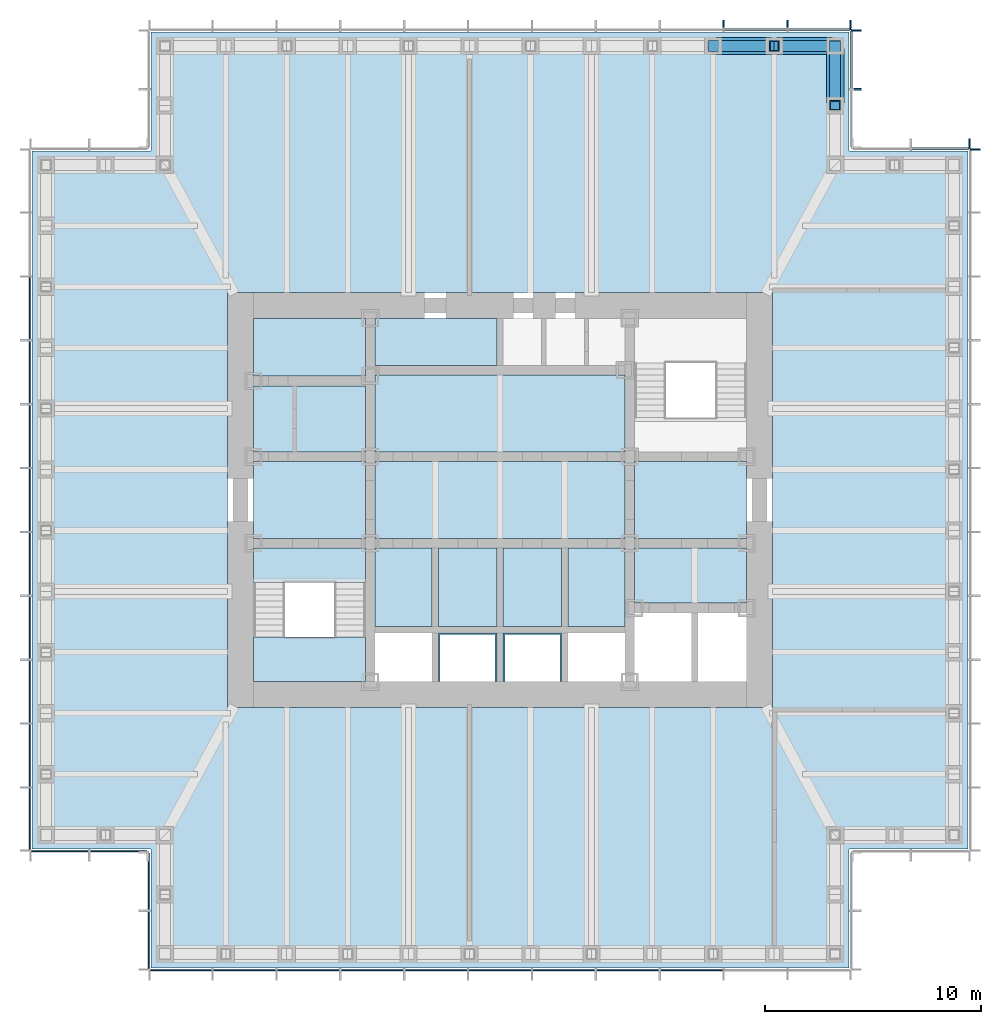
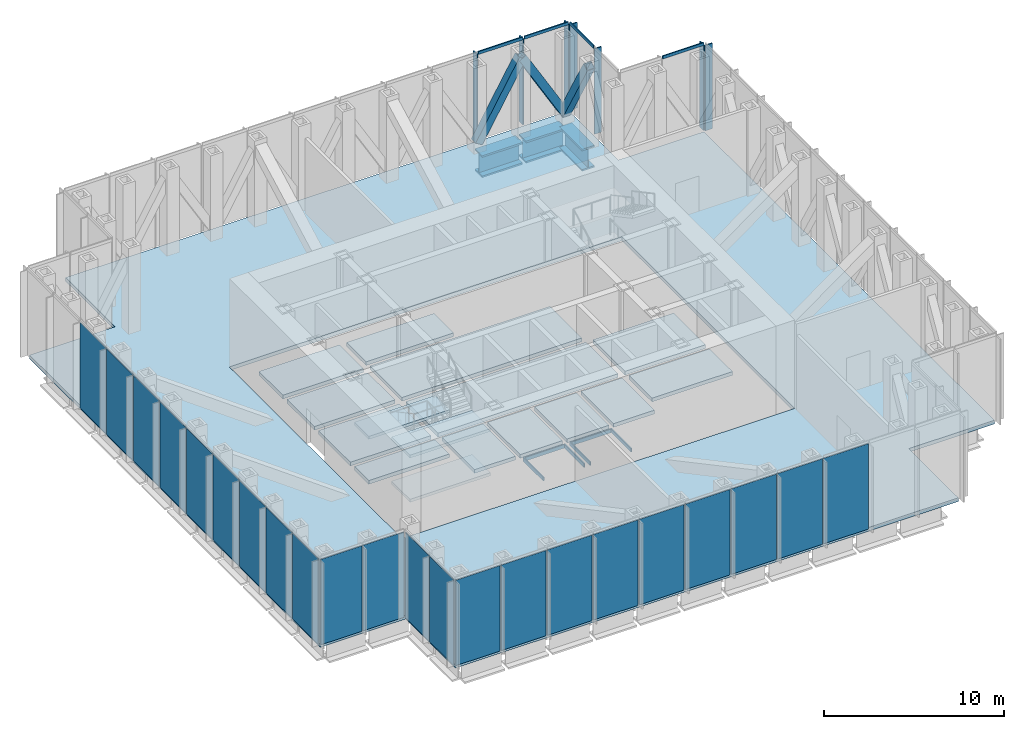
# One storey, part 5 of 12: 22 plates, 19 slabs, 14 members, 3 beams, 9 elements without a shape of their own.
"""IFC4 building model written with IfcOpenShell, lengths in metres."""

import ifcopenshell
import ifcopenshell.guid

model = None  # the IFC model being written
_history = None  # IfcOwnerHistory: only IFC2X3 demands one
_inside = {}  # id of a spatial element -> (the spatial element, [elements in it])
_under = {}  # id of a project, library or spatial element -> (it, [spatial elements below it])
_declared = {}  # id of a project -> (the project, [libraries it declares])
_typed = {}  # id of a type object -> (the type object, [elements of that type])
_made_of = {}  # id of a material, layer set ... -> (it, [elements and type objects made of it])


def new_model(schema):
    """Start an empty IFC model of exactly this schema.

    Asked for "IFC4X3", IfcOpenShell would pick the latest addendum, in which some entities
    have other attributes; the version numbers below select the first issue.
    IFC2X3 requires an IfcOwnerHistory on every rooted entity: one is made here for all.
    """
    global model, _history
    if schema == "IFC4X3":
        model = ifcopenshell.file(schema_version=(4, 3, 0, 0))
    else:
        model = ifcopenshell.file(schema=schema)
    _inside.clear()
    _under.clear()
    _declared.clear()
    _typed.clear()
    _made_of.clear()
    _history = None
    if model.schema == "IFC2X3":
        org = make("IfcOrganization", Name="unknown")
        user = make(
            "IfcPersonAndOrganization",
            ThePerson=make("IfcPerson", FamilyName="unknown"),
            TheOrganization=org,
        )
        app = make(
            "IfcApplication",
            ApplicationDeveloper=org,
            Version="unknown",
            ApplicationFullName="unknown",
            ApplicationIdentifier="unknown",
        )
        _history = make(
            "IfcOwnerHistory",
            OwningUser=user,
            OwningApplication=app,
            ChangeAction="ADDED",
            CreationDate=0,
        )
    return model


def make(cls, **values):
    """One entity of the class cls with the attributes given. An attribute that is None is left unset."""
    return model.create_entity(
        cls, **{name: value for name, value in values.items() if value is not None}
    )


def rooted(cls, **values):
    """An entity with a GlobalId (a new one), such as an element, a storey or a relation."""
    return make(cls, GlobalId=ifcopenshell.guid.new(), OwnerHistory=_history, **values)


def si_unit(unit_type, name, prefix=None):
    """IfcSIUnit, for example si_unit("LENGTHUNIT", "METRE", prefix="MILLI")."""
    return make("IfcSIUnit", UnitType=unit_type, Prefix=prefix, Name=name)


def assignment(units):
    """IfcUnitAssignment: the units of a project."""
    return None if units is None else make("IfcUnitAssignment", Units=units)


def point(xyz):
    """IfcCartesianPoint."""
    return None if xyz is None else make("IfcCartesianPoint", Coordinates=xyz)


def direction(xyz):
    """IfcDirection."""
    return None if xyz is None else make("IfcDirection", DirectionRatios=xyz)


def frame(location, z_axis=None, x_axis=None):
    """IfcAxis2Placement3D, a coordinate frame: its origin and axes. An axis left out is left unset."""
    return make(
        "IfcAxis2Placement3D",
        Location=point(location),
        Axis=direction(z_axis),
        RefDirection=direction(x_axis),
    )


def frame_2d(location, x_axis=None):
    """IfcAxis2Placement2D, a coordinate frame in the plane: its origin and x axis."""
    return make(
        "IfcAxis2Placement2D", Location=point(location), RefDirection=direction(x_axis)
    )


def origin():
    """The frame at (0, 0, 0) with its axes left unset."""
    return frame((0.0, 0.0, 0.0))


def origin_2d():
    """The frame at (0, 0) in the plane with its x axis left unset."""
    return frame_2d((0.0, 0.0))


def place(relative_to, where):
    """IfcLocalPlacement: puts the frame where relative to a parent placement (None: the world)."""
    return make(
        "IfcLocalPlacement", PlacementRelTo=relative_to, RelativePlacement=where
    )


def context(
    kind, dimensions, precision=None, world=None, true_north=None, identifier=None
):
    """IfcGeometricRepresentationContext, for example the 3D "Model" context."""
    return make(
        "IfcGeometricRepresentationContext",
        ContextIdentifier=identifier,
        ContextType=kind,
        CoordinateSpaceDimension=dimensions,
        Precision=precision,
        WorldCoordinateSystem=world,
        TrueNorth=true_north,
    )


def subcontext(parent, identifier, kind, view, scale=None):
    """IfcGeometricRepresentationSubContext, for example "Body" below "Model"."""
    return make(
        "IfcGeometricRepresentationSubContext",
        ContextIdentifier=identifier,
        ContextType=kind,
        ParentContext=parent,
        TargetScale=scale,
        TargetView=view,
    )


def project(units=None, contexts=None):
    """IfcProject with its units and contexts."""
    return rooted(
        "IfcProject",
        Name="project",
        RepresentationContexts=contexts,
        UnitsInContext=assignment(units),
    )


def spatial(cls, under=None, at=None, **own):
    """A site, building, storey or space (cls), placed at a placement, below another one or the project."""
    s = rooted(cls, ObjectPlacement=at, **own)
    if under is not None:
        _under.setdefault(under.id(), (under, []))[1].append(s)
    return s


def polyline(points):
    """IfcPolyline through the points."""
    return make("IfcPolyline", Points=[point(p) for p in points])


def profile(cls, at=None, kind="AREA", **sizes):
    """A parametric profile (cls). Its sizes go by their IFC names, for example OverallWidth=200.0."""
    return make(cls, ProfileType=kind, Position=at, **sizes)


def rectangle(**sizes):
    """IfcRectangleProfileDef."""
    return profile("IfcRectangleProfileDef", **sizes)


def hollow_rectangle(**sizes):
    """IfcRectangleHollowProfileDef."""
    return profile("IfcRectangleHollowProfileDef", **sizes)


def i_section(**sizes):
    """IfcIShapeProfileDef."""
    return profile("IfcIShapeProfileDef", **sizes)


def outline(outer, holes=None, kind="AREA"):
    """IfcArbitraryClosedProfileDef: a profile drawn as a closed curve; with holes, ...WithVoids."""
    if holes is None:
        return make("IfcArbitraryClosedProfileDef", ProfileType=kind, OuterCurve=outer)
    return make(
        "IfcArbitraryProfileDefWithVoids",
        ProfileType=kind,
        OuterCurve=outer,
        InnerCurves=holes,
    )


def extrude(swept, where, along, depth):
    """IfcExtrudedAreaSolid: the profile swept, set in the frame where, extruded along a direction by depth."""
    return make(
        "IfcExtrudedAreaSolid",
        SweptArea=swept,
        Position=where,
        ExtrudedDirection=direction(along),
        Depth=depth,
    )


def shape(context_of_items, identifier, shape_type, items):
    """IfcShapeRepresentation: the items that make up one representation, for example the "Body"."""
    return make(
        "IfcShapeRepresentation",
        ContextOfItems=context_of_items,
        RepresentationIdentifier=identifier,
        RepresentationType=shape_type,
        Items=items,
    )


def material(Name=None, Category=None):
    """IfcMaterial."""
    return make("IfcMaterial", Name=Name, Category=Category)


def layer(
    of_material, thickness, ventilated=None, Name=None, Category=None, Priority=None
):
    """IfcMaterialLayer: one layer of a wall or slab, of a material (None: an air gap)."""
    return make(
        "IfcMaterialLayer",
        Material=of_material,
        LayerThickness=thickness,
        IsVentilated=ventilated,
        Name=Name,
        Category=Category,
        Priority=Priority,
    )


def layer_set(layers, Name=None):
    """IfcMaterialLayerSet."""
    return make("IfcMaterialLayerSet", MaterialLayers=layers, LayerSetName=Name)


def material_profile(
    of_material, cross_section, Name=None, Category=None, Priority=None
):
    """IfcMaterialProfile: a cross section and its material."""
    return make(
        "IfcMaterialProfile",
        Name=Name,
        Material=of_material,
        Profile=cross_section,
        Priority=Priority,
        Category=Category,
    )


def profile_set(profiles, Name=None, composite=None):
    """IfcMaterialProfileSet."""
    return make(
        "IfcMaterialProfileSet",
        Name=Name,
        MaterialProfiles=profiles,
        CompositeProfile=composite,
    )


def made_of(thing, what):
    """Note that an element or type object is made of a material, layer set ...; save() writes the relation."""
    if what is not None:
        _made_of.setdefault(what.id(), (what, []))[1].append(thing)
    return thing


def type_object(cls, material=None, **own):
    """A type object (cls), such as IfcWallType, which elements share."""
    return made_of(rooted(cls, **own), material)


def element(
    cls,
    number,
    at=None,
    inside=None,
    cuts=None,
    type_object=None,
    material=None,
    context=None,
    identifier="Body",
    shape_type=None,
    held_by="IfcProductDefinitionShape",
    body=None,
    shapes=None,
    **own,
):
    """One element of the class cls, such as IfcWall. Its Tag is "e" and its number.

    at: its placement. inside: the storey or other place that contains it. cuts: it is an
    opening in that element (IfcRelVoidsElement). A single representation is given by context,
    identifier, shape_type and body (its items); several are given by shapes. held_by: the class
    of the entity that holds the representations. save() writes the other relations.
    """
    e = rooted(cls, Tag="e%d" % number, ObjectPlacement=at, **own)
    if body is not None:
        shapes = [shape(context, identifier, shape_type, body)]
    if shapes is not None:
        e.Representation = make(held_by, Representations=shapes)
    if inside is not None:
        _inside.setdefault(inside.id(), (inside, []))[1].append(e)
    if cuts is not None:
        rooted(
            "IfcRelVoidsElement", RelatingBuildingElement=cuts, RelatedOpeningElement=e
        )
    if type_object is not None:
        _typed.setdefault(type_object.id(), (type_object, []))[1].append(e)
    return made_of(e, material)


def aggregate(whole, parts):
    """IfcRelAggregates: a whole, such as a stair, and the parts it consists of."""
    return rooted("IfcRelAggregates", RelatingObject=whole, RelatedObjects=parts)


def save(model, path):
    """Write the relations noted so far, then the file.

    IfcRelAggregates (storeys below a building ...), IfcRelContainedInSpatialStructure (elements
    in a storey), IfcRelDefinesByType, IfcRelAssociatesMaterial and IfcRelDeclares: one each for
    every whole, place, type object, material and project.
    """
    for whole, parts in _under.values():
        aggregate(whole, parts)
    for where, things in _inside.values():
        rooted(
            "IfcRelContainedInSpatialStructure",
            RelatedElements=things,
            RelatingStructure=where,
        )
    for kind, things in _typed.values():
        rooted("IfcRelDefinesByType", RelatedObjects=things, RelatingType=kind)
    for what, things in _made_of.values():
        rooted("IfcRelAssociatesMaterial", RelatedObjects=things, RelatingMaterial=what)
    for by, libraries in _declared.values():
        rooted("IfcRelDeclares", RelatingContext=by, RelatedDefinitions=libraries)
    model.write(path)


model = new_model("IFC4")

# Units and contexts
model_context = context("Model", 3, precision=1e-05, world=origin(), true_north=direction((0.0, 1.0)))
body_context = subcontext(model_context, "Body", "Model", "MODEL_VIEW")
ifc_project = project(units=[si_unit("LENGTHUNIT", "METRE"), si_unit("AREAUNIT", "SQUARE_METRE"), si_unit("VOLUMEUNIT", "CUBIC_METRE"), si_unit("PLANEANGLEUNIT", "RADIAN"), si_unit("MASSUNIT", "GRAM", prefix="KILO")], contexts=[model_context])

# Site, building, storey
site_placement = place(None, origin())
site = spatial("IfcSite", under=ifc_project, at=site_placement, CompositionType="ELEMENT")
building_placement = place(site_placement, origin())
building = spatial("IfcBuilding", under=site, at=building_placement, Name="Daluyong Arena Tower", CompositionType="ELEMENT")
storey_placement = place(building_placement, frame((0.0, 0.0, 244.300048828125)))
storey = spatial("IfcBuildingStorey", under=building, at=storey_placement, Name="L55", CompositionType="ELEMENT", Elevation=244.300048828125)

# Members
ifc_material_1 = material(Name="Steel ASTM A572 Grade 50", Category="steel")
ifc_material_profile_1 = material_profile(ifc_material_1, hollow_rectangle(XDim=0.5, YDim=0.5, WallThickness=0.04, at=origin_2d()))
ifc_profile_set_1 = profile_set([ifc_material_profile_1], Name="Steel ASTM A572 Grade 50")
member_type_1 = type_object("IfcMemberType", Name="Belt truss diagonal BX500X40", PredefinedType="BRACE", material=ifc_profile_set_1)
member_1_placement = place(storey_placement, frame((71.5, 101.0, 0.5), z_axis=(0.0, -0.494021463923, 0.869449707104), x_axis=(1.0, 0.0, 0.0)))
element("IfcMember", 1, at=member_1_placement, inside=storey, type_object=member_type_1, Name="belt truss diagonal BT2", PredefinedType="BRACE", context=body_context, shape_type="SweptSolid", body=[
    extrude(hollow_rectangle(XDim=0.5, YDim=0.5, WallThickness=0.04, at=origin_2d()), origin(), (0.0, 0.0, 1.0), 5.566650390625),
])
for number, where, z_axis, x_axis, name in (
    (2, (71.5, 101.0, 0.5), (-0.503187844061, 0.0, 0.86417706148), (0.0, -1.0, 0.0), "belt truss diagonal BT2"),
    (3, (65.863525390625, 101.0, 0.5), (0.503220397931, 0.0, 0.864158105387), (0.0, 1.0, 0.0), "belt truss diagonal BT2"),
):
    element("IfcMember", number, at=place(storey_placement, frame(where, z_axis=z_axis, x_axis=x_axis)), inside=storey, type_object=member_type_1, Name=name, PredefinedType="BRACE", context=body_context, shape_type="SweptSolid", body=[
        extrude(hollow_rectangle(XDim=0.5, YDim=0.5, WallThickness=0.04, at=origin_2d()), origin(), (0.0, 0.0, 1.0), 5.6005859375),
    ])

# Curtain wall, member
ifc_material_2 = material(Name="Bronze anodised aluminium and glass", Category="aluminium")
curtain_wall_type = type_object("IfcCurtainWallType", Name="Curtain wall CW6", PredefinedType="USERDEFINED", material=ifc_material_2)
curtain_wall_1_placement = place(storey_placement, origin())
curtain_wall_1 = element("IfcCurtainWall", 4, at=curtain_wall_1_placement, inside=storey, type_object=curtain_wall_type, Name="curtain wall L55 E", ObjectType="UNITISED CURTAIN WALL", PredefinedType="USERDEFINED")
ifc_material_3 = material(Name="Bronze anodised aluminium fin", Category="aluminium")
ifc_material_profile_2 = material_profile(ifc_material_3, rectangle(XDim=0.449951171875, YDim=0.080078125, at=origin_2d()))
ifc_profile_set_2 = profile_set([ifc_material_profile_2], Name="Bronze anodised aluminium fin")
member_type_2 = type_object("IfcMemberType", Name="CW6 bronze fin 450x80", PredefinedType="MULLION", material=ifc_profile_set_2)
member_2_placement = place(storey_placement, frame((77.97509765625, 96.2099609375, 0.0), z_axis=(0.0, 0.0, 1.0), x_axis=(-1.0, 0.0, 0.0)))
member_2 = element("IfcMember", 5, at=member_2_placement, type_object=member_type_2, Name="curtain wall L55 E fin 12", PredefinedType="MULLION", context=body_context, shape_type="SweptSolid", body=[
    extrude(rectangle(XDim=0.449951171875, YDim=0.080078125, at=origin_2d()), origin(), (0.0, 0.0, 1.0), 5.800048828125),
])
aggregate(curtain_wall_1, [member_2])

curtain_wall_2_placement = place(storey_placement, origin())
curtain_wall_2 = element("IfcCurtainWall", 6, at=curtain_wall_2_placement, inside=storey, type_object=curtain_wall_type, Name="curtain wall L55 NE-N", ObjectType="UNITISED CURTAIN WALL", PredefinedType="USERDEFINED")
member_3_placement = place(storey_placement, frame((77.7099609375, 96.47509765625, 0.0), z_axis=(0.0, 0.0, 1.0), x_axis=(0.0, -1.0, 0.0)))
member_3 = element("IfcMember", 7, at=member_3_placement, type_object=member_type_2, Name="curtain wall L55 NE-N fin 1", PredefinedType="MULLION", context=body_context, shape_type="SweptSolid", body=[
    extrude(rectangle(XDim=0.449951171875, YDim=0.080078125, at=origin_2d()), origin(), (0.0, 0.0, 1.0), 5.800048828125),
])

# Curtain wall, members
curtain_wall_3_placement = place(storey_placement, origin())
curtain_wall_3 = element("IfcCurtainWall", 8, at=curtain_wall_3_placement, inside=storey, type_object=curtain_wall_type, Name="curtain wall L55 NE-E", ObjectType="UNITISED CURTAIN WALL", PredefinedType="USERDEFINED")
member_4_placement = place(storey_placement, frame((72.47509765625, 99.0, 0.0), z_axis=(0.0, 0.0, 1.0), x_axis=(-1.0, 0.0, 0.0)))
member_4 = element("IfcMember", 9, at=member_4_placement, type_object=member_type_2, Name="curtain wall L55 NE-E fin 2", PredefinedType="MULLION", context=body_context, shape_type="SweptSolid", body=[
    extrude(rectangle(XDim=0.449951171875, YDim=0.080078125, at=origin_2d()), origin(), (0.0, 0.0, 1.0), 5.800048828125),
])
member_5_placement = place(storey_placement, frame((72.47509765625, 101.7099609375, 0.0), z_axis=(0.0, 0.0, 1.0), x_axis=(-1.0, 0.0, 0.0)))
member_5 = element("IfcMember", 10, at=member_5_placement, type_object=member_type_2, Name="curtain wall L55 NE-E fin 3", PredefinedType="MULLION", context=body_context, shape_type="SweptSolid", body=[
    extrude(rectangle(XDim=0.449951171875, YDim=0.080078125, at=origin_2d()), origin(), (0.0, 0.0, 1.0), 5.800048828125),
])

curtain_wall_4_placement = place(storey_placement, origin())
curtain_wall_4 = element("IfcCurtainWall", 11, at=curtain_wall_4_placement, inside=storey, type_object=curtain_wall_type, Name="curtain wall L55 N", ObjectType="UNITISED CURTAIN WALL", PredefinedType="USERDEFINED")
member_6_placement = place(storey_placement, frame((72.2099609375, 101.97509765625, 0.0), z_axis=(0.0, 0.0, 1.0), x_axis=(0.0, -1.0, 0.0)))
member_6 = element("IfcMember", 12, at=member_6_placement, type_object=member_type_2, Name="curtain wall L55 N fin 1", PredefinedType="MULLION", context=body_context, shape_type="SweptSolid", body=[
    extrude(rectangle(XDim=0.449951171875, YDim=0.080078125, at=origin_2d()), origin(), (0.0, 0.0, 1.0), 5.800048828125),
])
member_7_placement = place(storey_placement, frame((69.29541015625, 101.97509765625, 0.0), z_axis=(0.0, 0.0, 1.0), x_axis=(0.0, -1.0, 0.0)))
member_7 = element("IfcMember", 13, at=member_7_placement, type_object=member_type_2, Name="curtain wall L55 N fin 2", PredefinedType="MULLION", context=body_context, shape_type="SweptSolid", body=[
    extrude(rectangle(XDim=0.449951171875, YDim=0.080078125, at=origin_2d()), origin(), (0.0, 0.0, 1.0), 5.800048828125),
])
member_8_placement = place(storey_placement, frame((66.3408203125, 101.97509765625, 0.0), z_axis=(0.0, 0.0, 1.0), x_axis=(0.0, -1.0, 0.0)))
member_8 = element("IfcMember", 14, at=member_8_placement, type_object=member_type_2, Name="curtain wall L55 N fin 3", PredefinedType="MULLION", context=body_context, shape_type="SweptSolid", body=[
    extrude(rectangle(XDim=0.449951171875, YDim=0.080078125, at=origin_2d()), origin(), (0.0, 0.0, 1.0), 5.800048828125),
])

# Member
ifc_material_4 = material(Name="Bronze anodised aluminium", Category="aluminium")
ifc_material_profile_3 = material_profile(ifc_material_4, rectangle(XDim=0.080078125, YDim=0.199951171875, at=origin_2d()))
ifc_profile_set_3 = profile_set([ifc_material_profile_3], Name="Bronze anodised aluminium")
member_type_3 = type_object("IfcMemberType", Name="CW6 stack transom 200x80", PredefinedType="USERDEFINED", material=ifc_profile_set_3)
member_9_placement = place(storey_placement, frame((77.669921875, 96.25, 5.89990234375), z_axis=(-1.0, 0.0, 0.0), x_axis=(0.0, -1.0, 0.0)))
member_9 = element("IfcMember", 15, at=member_9_placement, type_object=member_type_3, Name="curtain wall L55 NE-N transom 1", ObjectType="TRANSOM", PredefinedType="USERDEFINED", context=body_context, shape_type="SweptSolid", body=[
    extrude(rectangle(XDim=0.080078125, YDim=0.199951171875, at=origin_2d()), origin(), (0.0, 0.0, 1.0), 2.6298828125),
])

aggregate(curtain_wall_2, [member_3, member_9])

member_10_placement = place(storey_placement, frame((72.25, 99.0400390625, 5.89990234375), z_axis=(0.0, 1.0, 0.0), x_axis=(-1.0, 0.0, 0.0)))
member_10 = element("IfcMember", 16, at=member_10_placement, type_object=member_type_3, Name="curtain wall L55 NE-E transom 2", ObjectType="TRANSOM", PredefinedType="USERDEFINED", context=body_context, shape_type="SweptSolid", body=[
    extrude(rectangle(XDim=0.080078125, YDim=0.199951171875, at=origin_2d()), origin(), (0.0, 0.0, 1.0), 2.6298828125),
])

aggregate(curtain_wall_3, [member_4, member_5, member_10])

member_11_placement = place(storey_placement, frame((72.169921875, 101.75, 5.89990234375), z_axis=(-1.0, 0.0, 0.0), x_axis=(0.0, -1.0, 0.0)))
member_11 = element("IfcMember", 17, at=member_11_placement, type_object=member_type_3, Name="curtain wall L55 N transom 1", ObjectType="TRANSOM", PredefinedType="USERDEFINED", context=body_context, shape_type="SweptSolid", body=[
    extrude(rectangle(XDim=0.080078125, YDim=0.199951171875, at=origin_2d()), origin(), (0.0, 0.0, 1.0), 2.83447265625),
])

member_12_placement = place(storey_placement, frame((69.25537109375, 101.75, 5.89990234375), z_axis=(-1.0, 0.0, 0.0), x_axis=(0.0, -1.0, 0.0)))
member_12 = element("IfcMember", 18, at=member_12_placement, type_object=member_type_3, Name="curtain wall L55 N transom 2", ObjectType="TRANSOM", PredefinedType="USERDEFINED", context=body_context, shape_type="SweptSolid", body=[
    extrude(rectangle(XDim=0.080078125, YDim=0.199951171875, at=origin_2d()), origin(), (0.0, 0.0, 1.0), 2.87451171875),
])

aggregate(curtain_wall_4, [member_6, member_7, member_8, member_11, member_12])

# Beams
ifc_material_5 = material(Name="Steel ASTM A588 Grade 50", Category="steel")
ifc_material_profile_4 = material_profile(ifc_material_5, i_section(OverallWidth=0.800048828125, OverallDepth=1.5, WebThickness=0.05, FlangeThickness=0.12, at=origin_2d()))
ifc_profile_set_4 = profile_set([ifc_material_profile_4], Name="Steel ASTM A588 Grade 50")
beam_type = type_object("IfcBeamType", Name="Spandrel Z3 PG1500X800", PredefinedType="SPANDREL", material=ifc_profile_set_4)
beam_1_placement = place(storey_placement, frame((71.5, 98.364990234375, -1.0), z_axis=(0.0, 1.0, 0.0), x_axis=(-1.0, 0.0, 0.0)))
element("IfcBeam", 19, at=beam_1_placement, inside=storey, type_object=beam_type, Name="spandrel z3 SB7", PredefinedType="SPANDREL", context=body_context, shape_type="SweptSolid", body=[
    extrude(i_section(OverallWidth=0.800048828125, OverallDepth=1.5, WebThickness=0.05, FlangeThickness=0.12, at=origin_2d()), origin(), (0.0, 0.0, 1.0), 2.52001953125),
])
beam_2_placement = place(storey_placement, frame((71.385009765625, 101.0, -1.0), z_axis=(-1.0, 0.0, 0.0), x_axis=(0.0, -1.0, 0.0)))
element("IfcBeam", 20, at=beam_2_placement, inside=storey, type_object=beam_type, Name="spandrel z3 SB7", PredefinedType="SPANDREL", context=body_context, shape_type="SweptSolid", body=[
    extrude(i_section(OverallWidth=0.800048828125, OverallDepth=1.5, WebThickness=0.05, FlangeThickness=0.12, at=origin_2d()), origin(), (0.0, 0.0, 1.0), 2.588134765625),
])
beam_3_placement = place(storey_placement, frame((68.56689453125, 101.0, -1.0), z_axis=(-1.0, 0.0, 0.0), x_axis=(0.0, -1.0, 0.0)))
element("IfcBeam", 21, at=beam_3_placement, inside=storey, type_object=beam_type, Name="spandrel z3 SB7", PredefinedType="SPANDREL", context=body_context, shape_type="SweptSolid", body=[
    extrude(i_section(OverallWidth=0.800048828125, OverallDepth=1.5, WebThickness=0.05, FlangeThickness=0.12, at=origin_2d()), origin(), (0.0, 0.0, 1.0), 2.58837890625),
])

# Curtain wall, plates
curtain_wall_5_placement = place(storey_placement, origin())
curtain_wall_5 = element("IfcCurtainWall", 22, at=curtain_wall_5_placement, inside=storey, type_object=curtain_wall_type, Name="curtain wall L55 S", ObjectType="UNITISED CURTAIN WALL", PredefinedType="USERDEFINED")
ifc_material_6 = material(Name="Bronze aluminium louvre panel", Category="aluminium")
ifc_layer_1 = layer(ifc_material_6, 0.050048828125)
ifc_layer_set_1 = layer_set([ifc_layer_1], Name="Bronze aluminium louvre panel")
plate_type = type_object("IfcPlateType", Name="CW6 panel 50", PredefinedType="CURTAIN_PANEL", material=ifc_layer_set_1)
plate_1_placement = place(storey_placement, frame((41.247314453125, 58.25, 0.0), z_axis=(0.0, 0.0, 1.0), x_axis=(1.0, 0.0, 0.0)))
plate_1 = element("IfcPlate", 23, at=plate_1_placement, type_object=plate_type, Name="curtain wall L55 S panel 1", PredefinedType="CURTAIN_PANEL", context=body_context, shape_type="SweptSolid", body=[
    extrude(rectangle(XDim=2.83447265625, YDim=0.050048828125, at=origin_2d()), origin(), (0.0, 0.0, 1.0), 5.800048828125),
])
plate_2_placement = place(storey_placement, frame((44.181884765625, 58.25, 0.0), z_axis=(0.0, 0.0, 1.0), x_axis=(1.0, 0.0, 0.0)))
plate_2 = element("IfcPlate", 24, at=plate_2_placement, type_object=plate_type, Name="curtain wall L55 S panel 2", PredefinedType="CURTAIN_PANEL", context=body_context, shape_type="SweptSolid", body=[
    extrude(rectangle(XDim=2.87451171875, YDim=0.050048828125, at=origin_2d()), origin(), (0.0, 0.0, 1.0), 5.800048828125),
])
plate_3_placement = place(storey_placement, frame((47.136474609375, 58.25, 0.0), z_axis=(0.0, 0.0, 1.0), x_axis=(1.0, 0.0, 0.0)))
plate_3 = element("IfcPlate", 25, at=plate_3_placement, type_object=plate_type, Name="curtain wall L55 S panel 3", PredefinedType="CURTAIN_PANEL", context=body_context, shape_type="SweptSolid", body=[
    extrude(rectangle(XDim=2.87451171875, YDim=0.050048828125, at=origin_2d()), origin(), (0.0, 0.0, 1.0), 5.800048828125),
])
plate_4_placement = place(storey_placement, frame((50.0908203125, 58.25, 0.0), z_axis=(0.0, 0.0, 1.0), x_axis=(1.0, 0.0, 0.0)))
plate_4 = element("IfcPlate", 26, at=plate_4_placement, type_object=plate_type, Name="curtain wall L55 S panel 4", PredefinedType="CURTAIN_PANEL", context=body_context, shape_type="SweptSolid", body=[
    extrude(rectangle(XDim=2.87451171875, YDim=0.050048828125, at=origin_2d()), origin(), (0.0, 0.0, 1.0), 5.800048828125),
])
plate_5_placement = place(storey_placement, frame((53.04541015625, 58.25, 0.0), z_axis=(0.0, 0.0, 1.0), x_axis=(1.0, 0.0, 0.0)))
plate_5 = element("IfcPlate", 27, at=plate_5_placement, type_object=plate_type, Name="curtain wall L55 S panel 5", PredefinedType="CURTAIN_PANEL", context=body_context, shape_type="SweptSolid", body=[
    extrude(rectangle(XDim=2.87451171875, YDim=0.050048828125, at=origin_2d()), origin(), (0.0, 0.0, 1.0), 5.800048828125),
])
plate_6_placement = place(storey_placement, frame((56.0, 58.25, 0.0), z_axis=(0.0, 0.0, 1.0), x_axis=(1.0, 0.0, 0.0)))
plate_6 = element("IfcPlate", 28, at=plate_6_placement, type_object=plate_type, Name="curtain wall L55 S panel 6", PredefinedType="CURTAIN_PANEL", context=body_context, shape_type="SweptSolid", body=[
    extrude(rectangle(XDim=2.87451171875, YDim=0.050048828125, at=origin_2d()), origin(), (0.0, 0.0, 1.0), 5.800048828125),
])
plate_7_placement = place(storey_placement, frame((58.95458984375, 58.25, 0.0), z_axis=(0.0, 0.0, 1.0), x_axis=(1.0, 0.0, 0.0)))
plate_7 = element("IfcPlate", 29, at=plate_7_placement, type_object=plate_type, Name="curtain wall L55 S panel 7", PredefinedType="CURTAIN_PANEL", context=body_context, shape_type="SweptSolid", body=[
    extrude(rectangle(XDim=2.87451171875, YDim=0.050048828125, at=origin_2d()), origin(), (0.0, 0.0, 1.0), 5.800048828125),
])
plate_8_placement = place(storey_placement, frame((61.9091796875, 58.25, 0.0), z_axis=(0.0, 0.0, 1.0), x_axis=(1.0, 0.0, 0.0)))
plate_8 = element("IfcPlate", 30, at=plate_8_placement, type_object=plate_type, Name="curtain wall L55 S panel 8", PredefinedType="CURTAIN_PANEL", context=body_context, shape_type="SweptSolid", body=[
    extrude(rectangle(XDim=2.87451171875, YDim=0.050048828125, at=origin_2d()), origin(), (0.0, 0.0, 1.0), 5.800048828125),
])
plate_9_placement = place(storey_placement, frame((64.863525390625, 58.25, 0.0), z_axis=(0.0, 0.0, 1.0), x_axis=(1.0, 0.0, 0.0)))
plate_9 = element("IfcPlate", 31, at=plate_9_placement, type_object=plate_type, Name="curtain wall L55 S panel 9", PredefinedType="CURTAIN_PANEL", context=body_context, shape_type="SweptSolid", body=[
    extrude(rectangle(XDim=2.87451171875, YDim=0.050048828125, at=origin_2d()), origin(), (0.0, 0.0, 1.0), 5.800048828125),
])
aggregate(curtain_wall_5, [plate_1, plate_2, plate_3, plate_4, plate_5, plate_6, plate_7, plate_8, plate_9])

curtain_wall_6_placement = place(storey_placement, origin())
curtain_wall_6 = element("IfcCurtainWall", 32, at=curtain_wall_6_placement, inside=storey, type_object=curtain_wall_type, Name="curtain wall L55 W", ObjectType="UNITISED CURTAIN WALL", PredefinedType="USERDEFINED")
plate_10_placement = place(storey_placement, frame((34.25, 88.863525390625, 0.0), z_axis=(0.0, 0.0, 1.0), x_axis=(0.0, -1.0, 0.0)))
plate_10 = element("IfcPlate", 33, at=plate_10_placement, type_object=plate_type, Name="curtain wall L55 W panel 3", PredefinedType="CURTAIN_PANEL", context=body_context, shape_type="SweptSolid", body=[
    extrude(rectangle(XDim=2.87451171875, YDim=0.050048828125, at=origin_2d()), origin(), (0.0, 0.0, 1.0), 5.800048828125),
])
plate_11_placement = place(storey_placement, frame((34.25, 85.9091796875, 0.0), z_axis=(0.0, 0.0, 1.0), x_axis=(0.0, -1.0, 0.0)))
plate_11 = element("IfcPlate", 34, at=plate_11_placement, type_object=plate_type, Name="curtain wall L55 W panel 4", PredefinedType="CURTAIN_PANEL", context=body_context, shape_type="SweptSolid", body=[
    extrude(rectangle(XDim=2.87451171875, YDim=0.050048828125, at=origin_2d()), origin(), (0.0, 0.0, 1.0), 5.800048828125),
])
plate_12_placement = place(storey_placement, frame((34.25, 82.95458984375, 0.0), z_axis=(0.0, 0.0, 1.0), x_axis=(0.0, -1.0, 0.0)))
plate_12 = element("IfcPlate", 35, at=plate_12_placement, type_object=plate_type, Name="curtain wall L55 W panel 5", PredefinedType="CURTAIN_PANEL", context=body_context, shape_type="SweptSolid", body=[
    extrude(rectangle(XDim=2.87451171875, YDim=0.050048828125, at=origin_2d()), origin(), (0.0, 0.0, 1.0), 5.800048828125),
])
plate_13_placement = place(storey_placement, frame((34.25, 80.0, 0.0), z_axis=(0.0, 0.0, 1.0), x_axis=(0.0, -1.0, 0.0)))
plate_13 = element("IfcPlate", 36, at=plate_13_placement, type_object=plate_type, Name="curtain wall L55 W panel 6", PredefinedType="CURTAIN_PANEL", context=body_context, shape_type="SweptSolid", body=[
    extrude(rectangle(XDim=2.87451171875, YDim=0.050048828125, at=origin_2d()), origin(), (0.0, 0.0, 1.0), 5.800048828125),
])
plate_14_placement = place(storey_placement, frame((34.25, 77.04541015625, 0.0), z_axis=(0.0, 0.0, 1.0), x_axis=(0.0, -1.0, 0.0)))
plate_14 = element("IfcPlate", 37, at=plate_14_placement, type_object=plate_type, Name="curtain wall L55 W panel 7", PredefinedType="CURTAIN_PANEL", context=body_context, shape_type="SweptSolid", body=[
    extrude(rectangle(XDim=2.87451171875, YDim=0.050048828125, at=origin_2d()), origin(), (0.0, 0.0, 1.0), 5.800048828125),
])
plate_15_placement = place(storey_placement, frame((34.25, 74.0908203125, 0.0), z_axis=(0.0, 0.0, 1.0), x_axis=(0.0, -1.0, 0.0)))
plate_15 = element("IfcPlate", 38, at=plate_15_placement, type_object=plate_type, Name="curtain wall L55 W panel 8", PredefinedType="CURTAIN_PANEL", context=body_context, shape_type="SweptSolid", body=[
    extrude(rectangle(XDim=2.87451171875, YDim=0.050048828125, at=origin_2d()), origin(), (0.0, 0.0, 1.0), 5.800048828125),
])
plate_16_placement = place(storey_placement, frame((34.25, 71.136474609375, 0.0), z_axis=(0.0, 0.0, 1.0), x_axis=(0.0, -1.0, 0.0)))
plate_16 = element("IfcPlate", 39, at=plate_16_placement, type_object=plate_type, Name="curtain wall L55 W panel 9", PredefinedType="CURTAIN_PANEL", context=body_context, shape_type="SweptSolid", body=[
    extrude(rectangle(XDim=2.87451171875, YDim=0.050048828125, at=origin_2d()), origin(), (0.0, 0.0, 1.0), 5.800048828125),
])
plate_17_placement = place(storey_placement, frame((34.25, 68.181884765625, 0.0), z_axis=(0.0, 0.0, 1.0), x_axis=(0.0, -1.0, 0.0)))
plate_17 = element("IfcPlate", 40, at=plate_17_placement, type_object=plate_type, Name="curtain wall L55 W panel 10", PredefinedType="CURTAIN_PANEL", context=body_context, shape_type="SweptSolid", body=[
    extrude(rectangle(XDim=2.87451171875, YDim=0.050048828125, at=origin_2d()), origin(), (0.0, 0.0, 1.0), 5.800048828125),
])
plate_18_placement = place(storey_placement, frame((34.25, 65.247314453125, 0.0), z_axis=(0.0, 0.0, 1.0), x_axis=(0.0, -1.0, 0.0)))
plate_18 = element("IfcPlate", 41, at=plate_18_placement, type_object=plate_type, Name="curtain wall L55 W panel 11", PredefinedType="CURTAIN_PANEL", context=body_context, shape_type="SweptSolid", body=[
    extrude(rectangle(XDim=2.83447265625, YDim=0.050048828125, at=origin_2d()), origin(), (0.0, 0.0, 1.0), 5.800048828125),
])
aggregate(curtain_wall_6, [plate_10, plate_11, plate_12, plate_13, plate_14, plate_15, plate_16, plate_17, plate_18])

curtain_wall_7_placement = place(storey_placement, origin())
curtain_wall_7 = element("IfcCurtainWall", 42, at=curtain_wall_7_placement, inside=storey, type_object=curtain_wall_type, Name="curtain wall L55 SW-S", ObjectType="UNITISED CURTAIN WALL", PredefinedType="USERDEFINED")
plate_19_placement = place(storey_placement, frame((35.64501953125, 63.75, 0.0), z_axis=(0.0, 0.0, 1.0), x_axis=(1.0, 0.0, 0.0)))
plate_19 = element("IfcPlate", 43, at=plate_19_placement, type_object=plate_type, Name="curtain wall L55 SW-S panel 1", PredefinedType="CURTAIN_PANEL", context=body_context, shape_type="SweptSolid", body=[
    extrude(rectangle(XDim=2.6298828125, YDim=0.050048828125, at=origin_2d()), origin(), (0.0, 0.0, 1.0), 5.800048828125),
])
plate_20_placement = place(storey_placement, frame((38.35498046875, 63.75, 0.0), z_axis=(0.0, 0.0, 1.0), x_axis=(1.0, 0.0, 0.0)))
plate_20 = element("IfcPlate", 44, at=plate_20_placement, type_object=plate_type, Name="curtain wall L55 SW-S panel 2", PredefinedType="CURTAIN_PANEL", context=body_context, shape_type="SweptSolid", body=[
    extrude(rectangle(XDim=2.6298828125, YDim=0.050048828125, at=origin_2d()), origin(), (0.0, 0.0, 1.0), 5.800048828125),
])
aggregate(curtain_wall_7, [plate_19, plate_20])

curtain_wall_8_placement = place(storey_placement, origin())
curtain_wall_8 = element("IfcCurtainWall", 45, at=curtain_wall_8_placement, inside=storey, type_object=curtain_wall_type, Name="curtain wall L55 SW-W", ObjectType="UNITISED CURTAIN WALL", PredefinedType="USERDEFINED")
plate_21_placement = place(storey_placement, frame((39.75, 62.35498046875, 0.0), z_axis=(0.0, 0.0, 1.0), x_axis=(0.0, -1.0, 0.0)))
plate_21 = element("IfcPlate", 46, at=plate_21_placement, type_object=plate_type, Name="curtain wall L55 SW-W panel 1", PredefinedType="CURTAIN_PANEL", context=body_context, shape_type="SweptSolid", body=[
    extrude(rectangle(XDim=2.6298828125, YDim=0.050048828125, at=origin_2d()), origin(), (0.0, 0.0, 1.0), 5.800048828125),
])
plate_22_placement = place(storey_placement, frame((39.75, 59.64501953125, 0.0), z_axis=(0.0, 0.0, 1.0), x_axis=(0.0, -1.0, 0.0)))
plate_22 = element("IfcPlate", 47, at=plate_22_placement, type_object=plate_type, Name="curtain wall L55 SW-W panel 2", PredefinedType="CURTAIN_PANEL", context=body_context, shape_type="SweptSolid", body=[
    extrude(rectangle(XDim=2.6298828125, YDim=0.050048828125, at=origin_2d()), origin(), (0.0, 0.0, 1.0), 5.800048828125),
])
aggregate(curtain_wall_8, [plate_21, plate_22])

# Slabs
ifc_material_7 = material(Name="Concrete fc' 35 MPa", Category="concrete")
ifc_layer_2 = layer(ifc_material_7, 0.25)
ifc_layer_set_2 = layer_set([ifc_layer_2], Name="Concrete fc' 35 MPa")
slab_type_1 = type_object("IfcSlabType", Name="Plant floor slab 250", PredefinedType="FLOOR", material=ifc_layer_set_2)
slab_1_placement = place(storey_placement, frame((0.0, 0.0, -0.25)))
element("IfcSlab", 48, at=slab_1_placement, inside=storey, type_object=slab_type_1, Name="floor L55 part 1", PredefinedType="FLOOR", context=body_context, shape_type="SweptSolid", body=[
    extrude(outline(polyline([(49.77490234375, 77.77490234375), (44.60009765625, 77.77490234375), (44.60009765625, 76.175048828125), (49.77490234375, 76.175048828125), (49.77490234375, 77.77490234375)])), origin(), (0.0, 0.0, 1.0), 0.25),
])
slab_2_placement = place(storey_placement, frame((0.0, 0.0, -0.25)))
element("IfcSlab", 49, at=slab_2_placement, inside=storey, type_object=slab_type_1, Name="floor L55 part 2", PredefinedType="FLOOR", context=body_context, shape_type="SweptSolid", body=[
    extrude(outline(polyline([(49.77490234375, 78.22509765625), (49.77490234375, 81.77490234375), (44.60009765625, 81.77490234375), (44.60009765625, 78.22509765625), (49.77490234375, 78.22509765625)])), origin(), (0.0, 0.0, 1.0), 0.25),
])
slab_3_placement = place(storey_placement, frame((0.0, 0.0, -0.25)))
element("IfcSlab", 50, at=slab_3_placement, inside=storey, type_object=slab_type_1, Name="floor L55 part 3", PredefinedType="FLOOR", context=body_context, shape_type="SweptSolid", body=[
    extrude(outline(polyline([(44.60009765625, 85.27490234375), (44.60009765625, 82.22509765625), (49.77490234375, 82.22509765625), (49.77490234375, 85.27490234375), (44.60009765625, 85.27490234375)])), origin(), (0.0, 0.0, 1.0), 0.25),
])
slab_4_placement = place(storey_placement, frame((0.0, 0.0, -0.25)))
element("IfcSlab", 51, at=slab_4_placement, inside=storey, type_object=slab_type_1, Name="floor L55 part 4", PredefinedType="FLOOR", context=body_context, shape_type="SweptSolid", body=[
    extrude(outline(polyline([(44.60009765625, 88.39990234375), (44.60009765625, 85.72509765625), (49.77490234375, 85.72509765625), (49.77490234375, 88.39990234375), (44.60009765625, 88.39990234375)])), origin(), (0.0, 0.0, 1.0), 0.25),
])
slab_5_placement = place(storey_placement, frame((0.0, 0.0, -0.25)))
element("IfcSlab", 52, at=slab_5_placement, inside=storey, type_object=slab_type_1, Name="floor L55 part 5", PredefinedType="FLOOR", context=body_context, shape_type="SweptSolid", body=[
    extrude(outline(polyline([(52.85009765625, 74.14990234375), (52.85009765625, 77.77490234375), (50.22509765625, 77.77490234375), (50.22509765625, 74.14990234375), (52.85009765625, 74.14990234375)])), origin(), (0.0, 0.0, 1.0), 0.25),
])
slab_6_placement = place(storey_placement, frame((0.0, 0.0, -0.25)))
element("IfcSlab", 53, at=slab_6_placement, inside=storey, type_object=slab_type_1, Name="floor L55 part 6", PredefinedType="FLOOR", context=body_context, shape_type="SweptSolid", body=[
    extrude(outline(polyline([(50.22509765625, 88.39990234375), (50.22509765625, 86.22509765625), (55.85009765625, 86.22509765625), (55.85009765625, 88.39990234375), (50.22509765625, 88.39990234375)])), origin(), (0.0, 0.0, 1.0), 0.25),
])
slab_7_placement = place(storey_placement, frame((0.0, 0.0, -0.25)))
element("IfcSlab", 54, at=slab_7_placement, inside=storey, type_object=slab_type_1, Name="floor L55 part 7", PredefinedType="FLOOR", context=body_context, shape_type="SweptSolid", body=[
    extrude(outline(polyline([(53.22509765625, 71.60009765625), (53.22509765625, 73.77490234375), (55.77490234375, 73.77490234375), (55.77490234375, 71.60009765625), (55.85009765625, 71.60009765625), (55.85009765625, 73.85009765625), (53.14990234375, 73.85009765625), (53.14990234375, 71.60009765625), (53.22509765625, 71.60009765625)])), origin(), (0.0, 0.0, 1.0), 0.25),
])
slab_8_placement = place(storey_placement, frame((0.0, 0.0, -0.25)))
element("IfcSlab", 55, at=slab_8_placement, inside=storey, type_object=slab_type_1, Name="floor L55 part 8", PredefinedType="FLOOR", context=body_context, shape_type="SweptSolid", body=[
    extrude(outline(polyline([(53.14990234375, 74.14990234375), (55.85009765625, 74.14990234375), (55.85009765625, 77.77490234375), (53.14990234375, 77.77490234375), (53.14990234375, 74.14990234375)])), origin(), (0.0, 0.0, 1.0), 0.25),
])
slab_9_placement = place(storey_placement, frame((0.0, 0.0, -0.25)))
element("IfcSlab", 56, at=slab_9_placement, inside=storey, type_object=slab_type_1, Name="floor L55 part 9", PredefinedType="FLOOR", context=body_context, shape_type="SweptSolid", body=[
    extrude(outline(polyline([(39.85009765625, 63.85009765625), (39.85009765625, 58.35009765625), (72.14990234375, 58.35009765625), (72.14990234375, 63.85009765625), (77.64990234375, 63.85009765625), (77.64990234375, 96.14990234375), (72.14990234375, 96.14990234375), (72.14990234375, 101.64990234375), (39.85009765625, 101.64990234375), (39.85009765625, 96.14990234375), (34.35009765625, 96.14990234375), (34.35009765625, 63.85009765625), (39.85009765625, 63.85009765625)]), holes=[polyline([(68.60009765625, 89.60009765625), (68.60009765625, 70.39990234375), (43.39990234375, 70.39990234375), (43.39990234375, 89.60009765625), (68.60009765625, 89.60009765625)])]), origin(), (0.0, 0.0, 1.0), 0.25),
])
slab_10_placement = place(storey_placement, frame((0.0, 0.0, -0.25)))
element("IfcSlab", 57, at=slab_10_placement, inside=storey, type_object=slab_type_1, Name="floor L55 part 10", PredefinedType="FLOOR", context=body_context, shape_type="SweptSolid", body=[
    extrude(outline(polyline([(50.22509765625, 81.77490234375), (50.22509765625, 78.22509765625), (61.77490234375, 78.22509765625), (61.77490234375, 81.77490234375), (50.22509765625, 81.77490234375)])), origin(), (0.0, 0.0, 1.0), 0.25),
])
slab_11_placement = place(storey_placement, frame((0.0, 0.0, -0.25)))
element("IfcSlab", 58, at=slab_11_placement, inside=storey, type_object=slab_type_1, Name="floor L55 part 11", PredefinedType="FLOOR", context=body_context, shape_type="SweptSolid", body=[
    extrude(outline(polyline([(50.22509765625, 85.77490234375), (50.22509765625, 82.22509765625), (61.77490234375, 82.22509765625), (61.77490234375, 85.77490234375), (50.22509765625, 85.77490234375)])), origin(), (0.0, 0.0, 1.0), 0.25),
])
slab_12_placement = place(storey_placement, frame((0.0, 0.0, -0.25)))
element("IfcSlab", 59, at=slab_12_placement, inside=storey, type_object=slab_type_1, Name="floor L55 part 12", PredefinedType="FLOOR", context=body_context, shape_type="SweptSolid", body=[
    extrude(outline(polyline([(56.22509765625, 71.60009765625), (56.22509765625, 73.77490234375), (58.77490234375, 73.77490234375), (58.77490234375, 71.60009765625), (58.85009765625, 71.60009765625), (58.85009765625, 73.85009765625), (56.14990234375, 73.85009765625), (56.14990234375, 71.60009765625), (56.22509765625, 71.60009765625)])), origin(), (0.0, 0.0, 1.0), 0.25),
])
slab_13_placement = place(storey_placement, frame((0.0, 0.0, -0.25)))
element("IfcSlab", 60, at=slab_13_placement, inside=storey, type_object=slab_type_1, Name="floor L55 part 13", PredefinedType="FLOOR", context=body_context, shape_type="SweptSolid", body=[
    extrude(outline(polyline([(58.85009765625, 77.77490234375), (56.14990234375, 77.77490234375), (56.14990234375, 74.14990234375), (58.85009765625, 74.14990234375), (58.85009765625, 77.77490234375)])), origin(), (0.0, 0.0, 1.0), 0.25),
])
slab_14_placement = place(storey_placement, frame((0.0, 0.0, -0.25)))
element("IfcSlab", 61, at=slab_14_placement, inside=storey, type_object=slab_type_1, Name="floor L55 part 15", PredefinedType="FLOOR", context=body_context, shape_type="SweptSolid", body=[
    extrude(outline(polyline([(61.77490234375, 77.77490234375), (59.14990234375, 77.77490234375), (59.14990234375, 74.14990234375), (61.77490234375, 74.14990234375), (61.77490234375, 77.77490234375)])), origin(), (0.0, 0.0, 1.0), 0.25),
])
slab_15_placement = place(storey_placement, frame((0.0, 0.0, -0.25)))
element("IfcSlab", 62, at=slab_15_placement, inside=storey, type_object=slab_type_1, Name="floor L55 part 16", PredefinedType="FLOOR", context=body_context, shape_type="SweptSolid", body=[
    extrude(outline(polyline([(67.39990234375, 75.22509765625), (67.39990234375, 77.77490234375), (62.22509765625, 77.77490234375), (62.22509765625, 75.22509765625), (67.39990234375, 75.22509765625)])), origin(), (0.0, 0.0, 1.0), 0.25),
])
slab_16_placement = place(storey_placement, frame((0.0, 0.0, -0.25)))
element("IfcSlab", 63, at=slab_16_placement, inside=storey, type_object=slab_type_1, Name="floor L55 part 17", PredefinedType="FLOOR", context=body_context, shape_type="SweptSolid", body=[
    extrude(outline(polyline([(67.39990234375, 78.22509765625), (67.39990234375, 81.77490234375), (62.22509765625, 81.77490234375), (62.22509765625, 78.22509765625), (67.39990234375, 78.22509765625)])), origin(), (0.0, 0.0, 1.0), 0.25),
])

# Stair, slabs
ifc_material_8 = material(Name="Concrete fc' 35 MPa", Category="concrete")
stair_type = type_object("IfcStairType", Name="Core exit stair", PredefinedType="HALF_TURN_STAIR", material=ifc_material_8)
stair_placement = place(storey_placement, origin())
stair = element("IfcStair", 64, at=stair_placement, inside=storey, type_object=stair_type, Name="exit stair A L55", PredefinedType="HALF_TURN_STAIR")
ifc_material_9 = material(Name="Concrete fc' 35 MPa", Category="concrete")
ifc_layer_3 = layer(ifc_material_9, 0.199951171875)
ifc_layer_set_3 = layer_set([ifc_layer_3], Name="Concrete fc' 35 MPa")
slab_type_2 = type_object("IfcSlabType", Name="Stair landing 200", PredefinedType="LANDING", material=ifc_layer_set_3)
slab_17_placement = place(storey_placement, frame((0.0, 0.0, 1.300048828125)))
slab_17 = element("IfcSlab", 65, at=slab_17_placement, type_object=slab_type_2, Name="STA landing 1", PredefinedType="LANDING", context=body_context, shape_type="SweptSolid", body=[
    extrude(outline(polyline([(44.60009765625, 71.60009765625), (49.77490234375, 71.60009765625), (49.77490234375, 73.655029296875), (44.60009765625, 73.655029296875), (44.60009765625, 71.60009765625)])), origin(), (0.0, 0.0, 1.0), 0.199951171875),
])
slab_18_placement = place(storey_placement, frame((0.0, 0.0, 2.800048828125)))
slab_18 = element("IfcSlab", 66, at=slab_18_placement, type_object=slab_type_2, Name="STA landing 2", PredefinedType="LANDING", context=body_context, shape_type="SweptSolid", body=[
    extrude(outline(polyline([(44.60009765625, 76.175048828125), (49.77490234375, 76.175048828125), (49.77490234375, 77.77490234375), (44.60009765625, 77.77490234375), (44.60009765625, 76.175048828125)])), origin(), (0.0, 0.0, 1.0), 0.199951171875),
])
slab_19_placement = place(storey_placement, frame((0.0, 0.0, 4.300048828125)))
slab_19 = element("IfcSlab", 67, at=slab_19_placement, type_object=slab_type_2, Name="STA landing 3", PredefinedType="LANDING", context=body_context, shape_type="SweptSolid", body=[
    extrude(outline(polyline([(44.60009765625, 71.60009765625), (49.77490234375, 71.60009765625), (49.77490234375, 73.655029296875), (44.60009765625, 73.655029296875), (44.60009765625, 71.60009765625)])), origin(), (0.0, 0.0, 1.0), 0.199951171875),
])
aggregate(stair, [slab_17, slab_18, slab_19])

save(model, "model.ifc")
